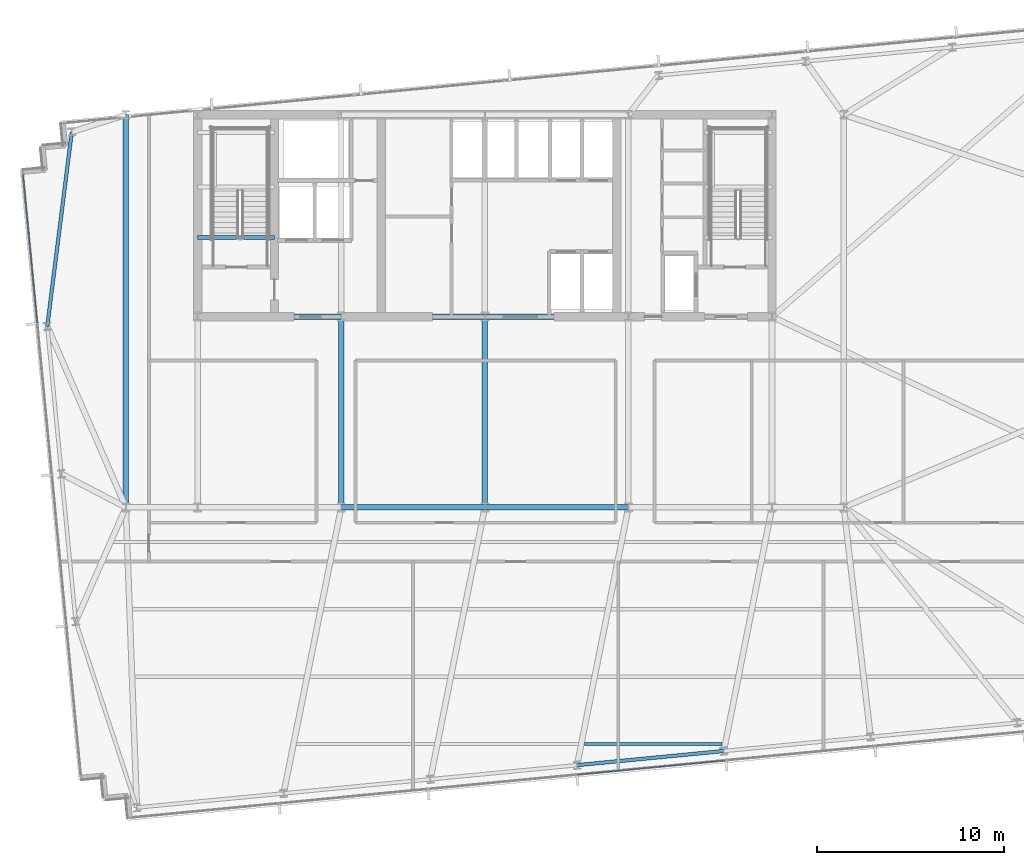
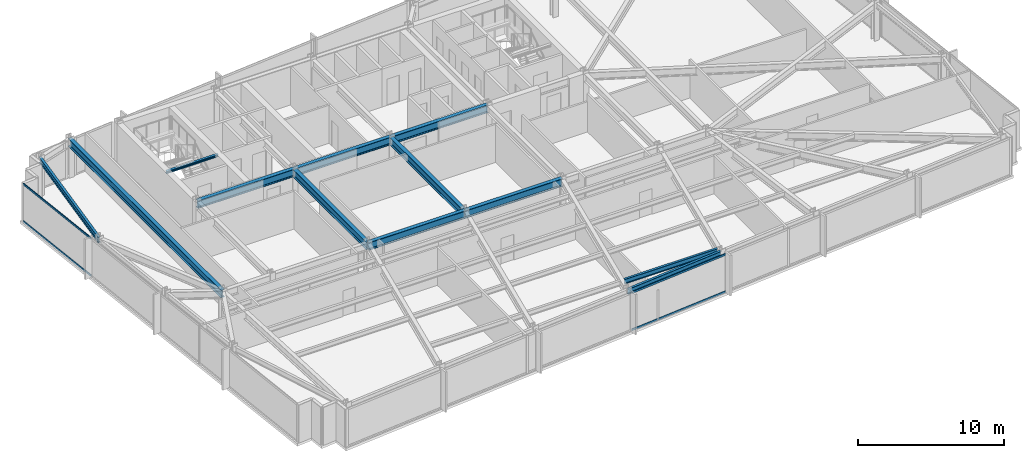
# One storey, part 9 of 32: 12 beams, 4 members, 2 elements without a shape of their own.
"""IFC4 building model written with IfcOpenShell, lengths in metres."""

from ifc_helpers import new_model, si_unit, direction, frame, origin, origin_2d, place, context, subcontext, project, spatial, hollow_rectangle, i_section, extrude, material, material_profile, profile_set, type_object, element, aggregate, save


model = new_model("IFC4")

# Units and contexts
model_context = context("Model", 3, precision=1e-05, world=origin(), true_north=direction((0.0, 1.0)))
body_context = subcontext(model_context, "Body", "Model", "MODEL_VIEW")
ifc_project = project(units=[si_unit("LENGTHUNIT", "METRE"), si_unit("AREAUNIT", "SQUARE_METRE"), si_unit("VOLUMEUNIT", "CUBIC_METRE"), si_unit("PLANEANGLEUNIT", "RADIAN"), si_unit("MASSUNIT", "GRAM", prefix="KILO")], contexts=[model_context])

# Site, building, storey
site_placement = place(None, origin())
site = spatial("IfcSite", under=ifc_project, at=site_placement, CompositionType="ELEMENT")
building_placement = place(site_placement, origin())
building = spatial("IfcBuilding", under=site, at=building_placement, Name="Yelkora Congress Tower", CompositionType="ELEMENT")
storey_placement = place(building_placement, frame((0.0, 0.0, 103.300048828125)))
storey = spatial("IfcBuildingStorey", under=building, at=storey_placement, Name="L27", CompositionType="ELEMENT", Elevation=103.300048828125)

# Beams
ifc_material_1 = material(Name="Steel S355J2", Category="steel")
ifc_material_profile_1 = material_profile(ifc_material_1, i_section(OverallWidth=0.300048828125, OverallDepth=0.64990234375, WebThickness=0.01611328125, FlangeThickness=0.031005859375, FilletRadius=0.027099609375, at=origin_2d()), Name="HEB 650")
ifc_profile_set_1 = profile_set([ifc_material_profile_1], Name="Steel S355J2")
beam_type_1 = type_object("IfcBeamType", Name="BM-GIRD-HEB650", PredefinedType="BEAM", material=ifc_profile_set_1)
beam_1_placement = place(storey_placement, frame((30.719970703125, 25.199951171875, 2.85498046875), z_axis=(1.0, 0.0, 0.0), x_axis=(0.0, 1.0, 0.0)))
element("IfcBeam", 1, at=beam_1_placement, inside=storey, type_object=beam_type_1, Name="L27 Spine Grid D Girder 3", PredefinedType="BEAM", context=body_context, shape_type="SweptSolid", body=[
    extrude(i_section(OverallWidth=0.300048828125, OverallDepth=0.64990234375, WebThickness=0.01611328125, FlangeThickness=0.031005859375, FilletRadius=0.027099609375, at=origin_2d()), origin(), (0.0, 0.0, 1.0), 7.679931640625),
])
beam_2_placement = place(storey_placement, frame((38.39990234375, 25.199951171875, 2.85498046875), z_axis=(1.0, 0.0, 0.0), x_axis=(0.0, 1.0, 0.0)))
element("IfcBeam", 2, at=beam_2_placement, inside=storey, type_object=beam_type_1, Name="L27 Spine Grid D Girder 4", PredefinedType="BEAM", context=body_context, shape_type="SweptSolid", body=[
    extrude(i_section(OverallWidth=0.300048828125, OverallDepth=0.64990234375, WebThickness=0.01611328125, FlangeThickness=0.031005859375, FilletRadius=0.027099609375, at=origin_2d()), origin(), (0.0, 0.0, 1.0), 7.68017578125),
])
for number, where, z_axis, x_axis, name in (
    (3, (23.0400390625, 35.39990234375, 2.85498046875), (1.0, 0.0, 0.0), (0.0, 1.0, 0.0), "L27 Core South Girder 1"),
    (4, (30.719970703125, 35.39990234375, 2.85498046875), (1.0, 0.0, 0.0), (0.0, 1.0, 0.0), "L27 Core South Girder 2"),
):
    element("IfcBeam", number, at=place(storey_placement, frame(where, z_axis=z_axis, x_axis=x_axis)), inside=storey, type_object=beam_type_1, Name=name, PredefinedType="BEAM", context=body_context, shape_type="SweptSolid", body=[
        extrude(i_section(OverallWidth=0.300048828125, OverallDepth=0.64990234375, WebThickness=0.01611328125, FlangeThickness=0.031005859375, FilletRadius=0.027099609375, at=origin_2d()), origin(), (0.0, 0.0, 1.0), 7.679931640625),
    ])
beam_3_placement = place(storey_placement, frame((38.39990234375, 35.39990234375, 2.85498046875), z_axis=(1.0, 0.0, 0.0), x_axis=(0.0, 1.0, 0.0)))
element("IfcBeam", 5, at=beam_3_placement, inside=storey, type_object=beam_type_1, Name="L27 Core South Girder 3", PredefinedType="BEAM", context=body_context, shape_type="SweptSolid", body=[
    extrude(i_section(OverallWidth=0.300048828125, OverallDepth=0.64990234375, WebThickness=0.01611328125, FlangeThickness=0.031005859375, FilletRadius=0.027099609375, at=origin_2d()), origin(), (0.0, 0.0, 1.0), 7.68017578125),
])
for number, where, z_axis, x_axis, name in (
    (6, (30.719970703125, 25.199951171875, 2.85498046875), (0.0, 1.0, 0.0), (-1.0, 0.0, 0.0), "L27 Core Tie Girder MC-D2"),
    (7, (38.39990234375, 25.199951171875, 2.85498046875), (0.0, 1.0, 0.0), (-1.0, 0.0, 0.0), "L27 Core Tie Girder MC-D3"),
):
    element("IfcBeam", number, at=place(storey_placement, frame(where, z_axis=z_axis, x_axis=x_axis)), inside=storey, type_object=beam_type_1, Name=name, PredefinedType="BEAM", context=body_context, shape_type="SweptSolid", body=[
        extrude(i_section(OverallWidth=0.300048828125, OverallDepth=0.64990234375, WebThickness=0.01611328125, FlangeThickness=0.031005859375, FilletRadius=0.027099609375, at=origin_2d()), origin(), (0.0, 0.0, 1.0), 10.199951171875),
    ])
beam_4_placement = place(storey_placement, frame((19.199951171875, 25.199951171875, 2.85498046875), z_axis=(0.0, 1.0, 0.0), x_axis=(-1.0, 0.0, 0.0)))
element("IfcBeam", 8, at=beam_4_placement, inside=storey, type_object=beam_type_1, Name="L27 Neck Flank Girder MC-F1", PredefinedType="BEAM", context=body_context, shape_type="SweptSolid", body=[
    extrude(i_section(OverallWidth=0.300048828125, OverallDepth=0.64990234375, WebThickness=0.01611328125, FlangeThickness=0.031005859375, FilletRadius=0.027099609375, at=origin_2d()), origin(), (0.0, 0.0, 1.0), 21.0),
])
ifc_material_profile_2 = material_profile(ifc_material_1, i_section(OverallWidth=0.179931640625, OverallDepth=0.39990234375, WebThickness=0.008544921875, FlangeThickness=0.013427734375, FilletRadius=0.02099609375, at=origin_2d()), Name="IPE 400")
ifc_profile_set_2 = profile_set([ifc_material_profile_2], Name="Steel S355J2")
beam_type_2 = type_object("IfcBeamType", Name="BM-JOIST-IPE400", PredefinedType="JOIST", material=ifc_profile_set_2)
beam_5_placement = place(storey_placement, frame((43.7197265625, 12.54443359375, 2.97998046875), z_axis=(1.0, 0.0, 0.0), x_axis=(0.0, 1.0, 0.0)))
element("IfcBeam", 9, at=beam_5_placement, inside=storey, type_object=beam_type_2, Name="L27 Composite Floor Joist 3", PredefinedType="JOIST", context=body_context, shape_type="SweptSolid", body=[
    extrude(i_section(OverallWidth=0.179931640625, OverallDepth=0.39990234375, WebThickness=0.008544921875, FlangeThickness=0.013427734375, FilletRadius=0.02099609375, at=origin_2d()), origin(), (0.0, 0.0, 1.0), 7.37841796875),
])
ifc_material_profile_3 = material_profile(ifc_material_1, i_section(OverallWidth=0.199951171875, OverallDepth=0.18994140625, WebThickness=0.006591796875, FlangeThickness=0.010009765625, FilletRadius=0.01806640625, at=origin_2d()), Name="HEA 200")
ifc_profile_set_3 = profile_set([ifc_material_profile_3], Name="Steel S355J2")
beam_type_3 = type_object("IfcBeamType", Name="BM-LAND-HEA200", PredefinedType="BEAM", material=ifc_profile_set_3)
beam_6_placement = place(storey_placement, frame((23.0400390625, 39.639892578125, 2.947265625), z_axis=(1.0, 0.0, 0.0), x_axis=(0.0, 1.0, 0.0)))
element("IfcBeam", 10, at=beam_6_placement, inside=storey, type_object=beam_type_3, Name="ST-01 L27 Floor Arrival Stringer Header Beam", PredefinedType="BEAM", context=body_context, shape_type="SweptSolid", body=[
    extrude(i_section(OverallWidth=0.199951171875, OverallDepth=0.18994140625, WebThickness=0.006591796875, FlangeThickness=0.010009765625, FilletRadius=0.01806640625, at=origin_2d()), origin(), (0.0, 0.0, 1.0), 4.10986328125),
])
ifc_material_profile_4 = material_profile(ifc_material_1, i_section(OverallWidth=0.18994140625, OverallDepth=0.449951171875, WebThickness=0.009521484375, FlangeThickness=0.0146484375, FilletRadius=0.02099609375, at=origin_2d()), Name="IPE 450")
ifc_profile_set_4 = profile_set([ifc_material_profile_4], Name="Steel S355J2")
beam_type_4 = type_object("IfcBeamType", Name="BM-SPAN-IPE450", PredefinedType="SPANDREL", material=ifc_profile_set_4)
beam_7_placement = place(storey_placement, frame((43.334228515625, 11.411865234375, 2.954833984375), z_axis=(0.995398529126, 0.09582154358, 0.0), x_axis=(-0.09582154358, 0.995398529126, 0.0)))
element("IfcBeam", 11, at=beam_7_placement, inside=storey, type_object=beam_type_4, Name="L27 Perimeter Beam 6", PredefinedType="SPANDREL", context=body_context, shape_type="SweptSolid", body=[
    extrude(i_section(OverallWidth=0.18994140625, OverallDepth=0.449951171875, WebThickness=0.009521484375, FlangeThickness=0.0146484375, FilletRadius=0.02099609375, at=origin_2d()), origin(), (0.0, 0.0, 1.0), 7.8857421875),
])
beam_8_placement = place(storey_placement, frame((16.306884765625, 45.27734375, 2.954833984375), z_axis=(-0.124952129665, -0.992162771571, 0.0), x_axis=(0.992162771571, -0.124952129665, 0.0)))
element("IfcBeam", 12, at=beam_8_placement, inside=storey, type_object=beam_type_4, Name="L27 Perimeter Beam 18", PredefinedType="SPANDREL", context=body_context, shape_type="SweptSolid", body=[
    extrude(i_section(OverallWidth=0.18994140625, OverallDepth=0.449951171875, WebThickness=0.009521484375, FlangeThickness=0.0146484375, FilletRadius=0.02099609375, at=origin_2d()), origin(), (0.0, 0.0, 1.0), 10.48046875),
])

# Curtain wall, members
ifc_material_2 = material(Name="Anodised aluminium and insulated glass", Category="aluminium")
curtain_wall_type = type_object("IfcCurtainWallType", Name="CW-SYS-B2", PredefinedType="NOTDEFINED", material=ifc_material_2)
curtain_wall_1_placement = place(storey_placement, origin())
curtain_wall_1 = element("IfcCurtainWall", 13, at=curtain_wall_1_placement, inside=storey, type_object=curtain_wall_type, Name="L27 Unitised Curtain Wall 5", PredefinedType="NOTDEFINED")
ifc_material_3 = material(Name="Anodised aluminium 6063-T6", Category="aluminium")
ifc_material_profile_5 = material_profile(ifc_material_3, hollow_rectangle(XDim=0.06494140625, YDim=0.159912109375, WallThickness=0.00390625, at=origin_2d()), Name="ALU 65x160x4")
ifc_profile_set_5 = profile_set([ifc_material_profile_5], Name="Anodised aluminium 6063-T6")
member_type = type_object("IfcMemberType", Name="MEM-TR-B2", PredefinedType="USERDEFINED", material=ifc_profile_set_5)
member_1_placement = place(storey_placement, frame((14.466796875, 35.06884765625, 0.032470703125), z_axis=(-0.095858482834, 0.995394972495, 0.0), x_axis=(-0.995394972495, -0.095858482834, 0.0)))
member_1 = element("IfcMember", 14, at=member_1_placement, type_object=member_type, Name="CW-B2 transom 4.1", ObjectType="TRANSOM", PredefinedType="USERDEFINED", context=body_context, shape_type="SweptSolid", body=[
    extrude(hollow_rectangle(XDim=0.06494140625, YDim=0.159912109375, WallThickness=0.00390625, at=origin_2d()), origin(), (0.0, 0.0, 1.0), 8.025146484375),
])
member_2_placement = place(storey_placement, frame((14.466796875, 35.06884765625, 3.1474609375), z_axis=(-0.095858482834, 0.995394972495, 0.0), x_axis=(-0.995394972495, -0.095858482834, 0.0)))
member_2 = element("IfcMember", 15, at=member_2_placement, type_object=member_type, Name="CW-B2 transom 4.2", ObjectType="TRANSOM", PredefinedType="USERDEFINED", context=body_context, shape_type="SweptSolid", body=[
    extrude(hollow_rectangle(XDim=0.06494140625, YDim=0.159912109375, WallThickness=0.00390625, at=origin_2d()), origin(), (0.0, 0.0, 1.0), 8.025146484375),
])
aggregate(curtain_wall_1, [member_1, member_2])

curtain_wall_2_placement = place(storey_placement, origin())
curtain_wall_2 = element("IfcCurtainWall", 16, at=curtain_wall_2_placement, inside=storey, type_object=curtain_wall_type, Name="L27 Unitised Curtain Wall 20", PredefinedType="NOTDEFINED")
member_3_placement = place(storey_placement, frame((51.255859375, 11.662353515625, 0.032470703125), z_axis=(-0.995394074338, -0.095867808848, 0.0), x_axis=(0.095867808848, -0.995394074338, 0.0)))
member_3 = element("IfcMember", 17, at=member_3_placement, type_object=member_type, Name="CW-B2 transom 4.1", ObjectType="TRANSOM", PredefinedType="USERDEFINED", context=body_context, shape_type="SweptSolid", body=[
    extrude(hollow_rectangle(XDim=0.06494140625, YDim=0.159912109375, WallThickness=0.00390625, at=origin_2d()), origin(), (0.0, 0.0, 1.0), 7.932861328125),
])
member_4_placement = place(storey_placement, frame((51.255859375, 11.662353515625, 3.1474609375), z_axis=(-0.995394074338, -0.095867808848, 0.0), x_axis=(0.095867808848, -0.995394074338, 0.0)))
member_4 = element("IfcMember", 18, at=member_4_placement, type_object=member_type, Name="CW-B2 transom 4.2", ObjectType="TRANSOM", PredefinedType="USERDEFINED", context=body_context, shape_type="SweptSolid", body=[
    extrude(hollow_rectangle(XDim=0.06494140625, YDim=0.159912109375, WallThickness=0.00390625, at=origin_2d()), origin(), (0.0, 0.0, 1.0), 7.932861328125),
])
aggregate(curtain_wall_2, [member_3, member_4])

save(model, "model.ifc")
